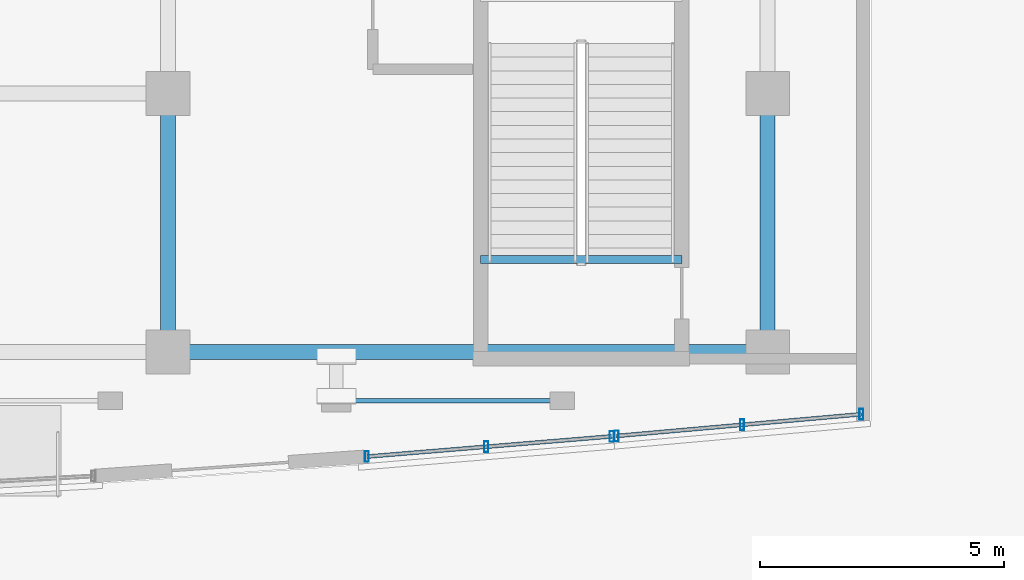
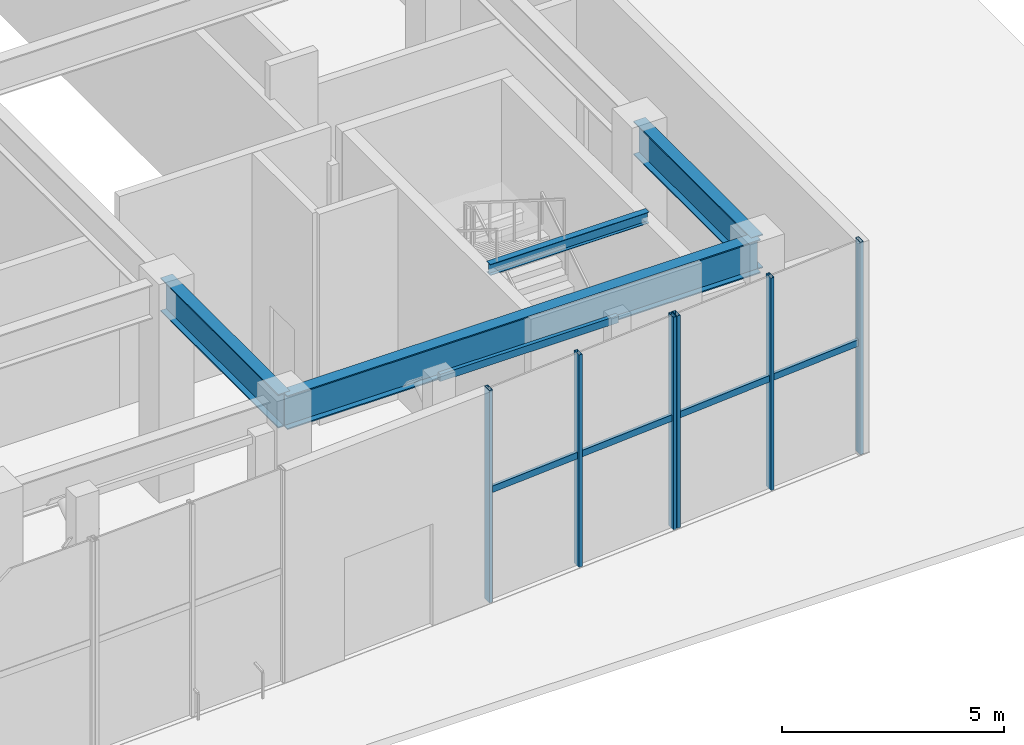
# One storey, part 9 of 23: 9 members, 4 beams, 2 elements without a shape of their own.
"""IFC4 building model written with IfcOpenShell, lengths in metres."""

from ifc_helpers import new_model, si_unit, direction, frame, origin, origin_2d, place, context, subcontext, project, spatial, hollow_rectangle, i_section, extrude, material, layer, layer_set, material_profile, profile_set, type_object, element, aggregate, save


model = new_model("IFC4")

# Units and contexts
model_context = context("Model", 3, precision=1e-05, world=origin(), true_north=direction((0.0, 1.0)))
body_context = subcontext(model_context, "Body", "Model", "MODEL_VIEW")
ifc_project = project(units=[si_unit("LENGTHUNIT", "METRE"), si_unit("AREAUNIT", "SQUARE_METRE"), si_unit("VOLUMEUNIT", "CUBIC_METRE"), si_unit("PLANEANGLEUNIT", "RADIAN"), si_unit("MASSUNIT", "GRAM", prefix="KILO")], contexts=[model_context])

# Site, building, storey
site_placement = place(None, origin())
site = spatial("IfcSite", under=ifc_project, at=site_placement, CompositionType="ELEMENT")
building_placement = place(site_placement, origin())
building = spatial("IfcBuilding", under=site, at=building_placement, Name="Vantalir Tower", CompositionType="ELEMENT")
storey_placement = place(building_placement, origin())
storey = spatial("IfcBuildingStorey", under=building, at=storey_placement, Name="L00", CompositionType="ELEMENT", Elevation=0.0)

# Beams
ifc_material_1 = material(Name="Steel S355", Category="steel")
ifc_material_profile_1 = material_profile(ifc_material_1, i_section(OverallWidth=0.166015625, OverallDepth=0.306884765625, WebThickness=0.006591796875, FlangeThickness=0.01171875, at=origin_2d()), Name="Steel S355")
ifc_profile_set_1 = profile_set([ifc_material_profile_1], Name="Steel S355")
beam_type_1 = type_object("IfcBeamType", Name="BM-JS-305x165", PredefinedType="JOIST", material=ifc_profile_set_1)
beam_1_placement = place(storey_placement, frame((55.010009765625, 5.094970703125, 5.845947265625), z_axis=(1.0, 0.0, 0.0), x_axis=(0.0, 1.0, 0.0)))
element("IfcBeam", 1, at=beam_1_placement, inside=storey, type_object=beam_type_1, Name="Level 01 Stair PST4 Well Nosing Trimmer Beam", PredefinedType="JOIST", context=body_context, shape_type="SweptSolid", body=[
    extrude(i_section(OverallWidth=0.166015625, OverallDepth=0.306884765625, WebThickness=0.006591796875, FlangeThickness=0.01171875, at=origin_2d()), origin(), (0.0, 0.0, 1.0), 4.1298828125),
])
ifc_material_profile_2 = material_profile(ifc_material_1, i_section(OverallWidth=0.30810546875, OverallDepth=0.927001953125, WebThickness=0.01953125, FlangeThickness=0.031982421875, at=origin_2d()), Name="Steel S355")
ifc_profile_set_2 = profile_set([ifc_material_profile_2], Name="Steel S355")
beam_type_2 = type_object("IfcBeamType", Name="BM-PG-914x305", PredefinedType="USERDEFINED", material=ifc_profile_set_2)
beam_2_placement = place(storey_placement, frame((48.60009765625, 3.199951171875, 5.35693359375), z_axis=(1.0, 0.0, 0.0), x_axis=(0.0, 1.0, 0.0)))
element("IfcBeam", 2, at=beam_2_placement, inside=storey, type_object=beam_type_2, Name="L00 Podium E-W Girder 06", ObjectType="GIRDER", PredefinedType="USERDEFINED", context=body_context, shape_type="SweptSolid", body=[
    extrude(i_section(OverallWidth=0.30810546875, OverallDepth=0.927001953125, WebThickness=0.01953125, FlangeThickness=0.031982421875, at=origin_2d()), origin(), (0.0, 0.0, 1.0), 12.2998046875),
])
for number, where, z_axis, x_axis, name in (
    (3, (48.60009765625, 3.199951171875, 5.35693359375), (0.0, 1.0, 0.0), (-1.0, 0.0, 0.0), "L00 Podium N-S Girder 74"),
    (4, (60.89990234375, 3.199951171875, 5.35693359375), (0.0, 1.0, 0.0), (-1.0, 0.0, 0.0), "L00 Podium N-S Girder 80"),
):
    element("IfcBeam", number, at=place(storey_placement, frame(where, z_axis=z_axis, x_axis=x_axis)), inside=storey, type_object=beam_type_2, Name=name, ObjectType="GIRDER", PredefinedType="USERDEFINED", context=body_context, shape_type="SweptSolid", body=[
        extrude(i_section(OverallWidth=0.30810546875, OverallDepth=0.927001953125, WebThickness=0.01953125, FlangeThickness=0.031982421875, at=origin_2d()), origin(), (0.0, 0.0, 1.0), 5.300048828125),
    ])

# Curtain wall, members
ifc_material_2 = material(Name="Champagne-silver PVDF aluminium and double-silver Low-E glass", Category="aluminium")
ifc_layer = layer(ifc_material_2, 0.239990234375)
ifc_layer_set = layer_set([ifc_layer], Name="Champagne-silver PVDF aluminium and double-silver Low-E glass")
curtain_wall_type = type_object("IfcCurtainWallType", Name="CW-PODIUM-WF", PredefinedType="USERDEFINED", material=ifc_layer_set)
curtain_wall_1_placement = place(storey_placement, origin())
curtain_wall_1 = element("IfcCurtainWall", 5, at=curtain_wall_1_placement, inside=storey, type_object=curtain_wall_type, Name="L00 Waterfront Stick Curtain Wall 11", ObjectType="STICK CURTAIN WALL", PredefinedType="USERDEFINED")
ifc_material_3 = material(Name="Champagne-silver PVDF aluminium 6063-T6", Category="aluminium")
ifc_material_profile_3 = material_profile(ifc_material_3, hollow_rectangle(XDim=0.0849609375, YDim=0.219970703125, WallThickness=0.0048828125, at=origin_2d()), Name="Champagne-silver PVDF aluminium 6063-T6")
ifc_profile_set_3 = profile_set([ifc_material_profile_3], Name="Champagne-silver PVDF aluminium 6063-T6")
member_type_1 = type_object("IfcMemberType", Name="CWM-220x85", PredefinedType="MULLION", material=ifc_profile_set_3)
member_1_placement = place(storey_placement, frame((52.678955078125, 1.054931640625, -0.011962890625), z_axis=(0.0, 0.0, 1.0), x_axis=(1.0, 0.0, 0.0)))
member_1 = element("IfcMember", 6, at=member_1_placement, type_object=member_type_1, Name="CW-L00-WF-11 Mullion 1", PredefinedType="MULLION", context=body_context, shape_type="SweptSolid", body=[
    extrude(hollow_rectangle(XDim=0.0849609375, YDim=0.219970703125, WallThickness=0.0048828125, at=origin_2d()), origin(), (0.0, 0.0, 1.0), 5.843994140625),
])
member_2_placement = place(storey_placement, frame((55.125, 1.257080078125, -0.011962890625), z_axis=(0.0, 0.0, 1.0), x_axis=(1.0, 0.0, 0.0)))
member_2 = element("IfcMember", 7, at=member_2_placement, type_object=member_type_1, Name="CW-L00-WF-11 Mullion 2", PredefinedType="MULLION", context=body_context, shape_type="SweptSolid", body=[
    extrude(hollow_rectangle(XDim=0.0849609375, YDim=0.219970703125, WallThickness=0.0048828125, at=origin_2d()), origin(), (0.0, 0.0, 1.0), 5.843994140625),
])
member_3_placement = place(storey_placement, frame((57.699951171875, 1.469970703125, -0.011962890625), z_axis=(0.0, 0.0, 1.0), x_axis=(1.0, 0.0, 0.0)))
member_3 = element("IfcMember", 8, at=member_3_placement, type_object=member_type_1, Name="CW-L00-WF-11 Mullion 3", PredefinedType="MULLION", context=body_context, shape_type="SweptSolid", body=[
    extrude(hollow_rectangle(XDim=0.0849609375, YDim=0.219970703125, WallThickness=0.0048828125, at=origin_2d()), origin(), (0.0, 0.0, 1.0), 5.843994140625),
])

curtain_wall_2_placement = place(storey_placement, origin())
curtain_wall_2 = element("IfcCurtainWall", 9, at=curtain_wall_2_placement, inside=storey, type_object=curtain_wall_type, Name="L00 Waterfront Stick Curtain Wall 12", ObjectType="STICK CURTAIN WALL", PredefinedType="USERDEFINED")
member_4_placement = place(storey_placement, frame((57.800048828125, 1.47802734375, -0.011962890625), z_axis=(0.0, 0.0, 1.0), x_axis=(1.0, 0.0, 0.0)))
member_4 = element("IfcMember", 10, at=member_4_placement, type_object=member_type_1, Name="CW-L00-WF-12 Mullion 1", PredefinedType="MULLION", context=body_context, shape_type="SweptSolid", body=[
    extrude(hollow_rectangle(XDim=0.0849609375, YDim=0.219970703125, WallThickness=0.0048828125, at=origin_2d()), origin(), (0.0, 0.0, 1.0), 5.843994140625),
])
member_5_placement = place(storey_placement, frame((60.375, 1.70703125, -0.011962890625), z_axis=(0.0, 0.0, 1.0), x_axis=(1.0, 0.0, 0.0)))
member_5 = element("IfcMember", 11, at=member_5_placement, type_object=member_type_1, Name="CW-L00-WF-12 Mullion 2", PredefinedType="MULLION", context=body_context, shape_type="SweptSolid", body=[
    extrude(hollow_rectangle(XDim=0.0849609375, YDim=0.219970703125, WallThickness=0.0048828125, at=origin_2d()), origin(), (0.0, 0.0, 1.0), 5.843994140625),
])
member_6_placement = place(storey_placement, frame((62.821044921875, 1.924072265625, -0.011962890625), z_axis=(0.0, 0.0, 1.0), x_axis=(1.0, 0.0, 0.0)))
member_6 = element("IfcMember", 12, at=member_6_placement, type_object=member_type_1, Name="CW-L00-WF-12 Mullion 3", PredefinedType="MULLION", context=body_context, shape_type="SweptSolid", body=[
    extrude(hollow_rectangle(XDim=0.0849609375, YDim=0.219970703125, WallThickness=0.0048828125, at=origin_2d()), origin(), (0.0, 0.0, 1.0), 5.843994140625),
])

# Member
ifc_material_profile_4 = material_profile(ifc_material_3, hollow_rectangle(XDim=0.080078125, YDim=0.179931640625, WallThickness=0.0048828125, at=origin_2d()), Name="Champagne-silver PVDF aluminium 6063-T6")
ifc_profile_set_4 = profile_set([ifc_material_profile_4], Name="Champagne-silver PVDF aluminium 6063-T6")
member_type_2 = type_object("IfcMemberType", Name="CWT-180x80", PredefinedType="USERDEFINED", material=ifc_profile_set_4)
member_7_placement = place(storey_placement, frame((52.678955078125, 1.054931640625, 3.02587890625), z_axis=(0.996601012706, 0.082379739454, 0.0), x_axis=(-0.082379739454, 0.996601012706, 0.0)))
member_7 = element("IfcMember", 13, at=member_7_placement, type_object=member_type_2, Name="CW-L00-WF-11 Transom 1", ObjectType="TRANSOM", PredefinedType="USERDEFINED", context=body_context, shape_type="SweptSolid", body=[
    extrude(hollow_rectangle(XDim=0.080078125, YDim=0.179931640625, WallThickness=0.0048828125, at=origin_2d()), origin(), (0.0, 0.0, 1.0), 5.0380859375),
])

aggregate(curtain_wall_1, [member_1, member_2, member_3, member_7])

member_8_placement = place(storey_placement, frame((57.800048828125, 1.47802734375, 3.02587890625), z_axis=(0.996077290425, 0.088487465215, 0.0), x_axis=(-0.088487465215, 0.996077290425, 0.0)))
member_8 = element("IfcMember", 14, at=member_8_placement, type_object=member_type_2, Name="CW-L00-WF-12 Transom 1", ObjectType="TRANSOM", PredefinedType="USERDEFINED", context=body_context, shape_type="SweptSolid", body=[
    extrude(hollow_rectangle(XDim=0.080078125, YDim=0.179931640625, WallThickness=0.0048828125, at=origin_2d()), origin(), (0.0, 0.0, 1.0), 5.040771484375),
])

aggregate(curtain_wall_2, [member_4, member_5, member_6, member_8])

ifc_material_profile_5 = material_profile(ifc_material_1, hollow_rectangle(XDim=0.10009765625, YDim=0.199951171875, WallThickness=0.008056640625, at=origin_2d()), Name="Steel S355")
ifc_profile_set_5 = profile_set([ifc_material_profile_5], Name="Steel S355")
member_type_3 = type_object("IfcMemberType", Name="MEM-PR-200x100", PredefinedType="PURLIN", material=ifc_profile_set_5)
member_9_placement = place(storey_placement, frame((52.050048828125, 2.199951171875, 5.64990234375), z_axis=(1.0, 0.0, 0.0), x_axis=(0.0, 1.0, 0.0)))
element("IfcMember", 15, at=member_9_placement, inside=storey, type_object=member_type_3, Name="L00 Waterfront Canopy Colonnade Tie 06", PredefinedType="PURLIN", context=body_context, shape_type="SweptSolid", body=[
    extrude(hollow_rectangle(XDim=0.10009765625, YDim=0.199951171875, WallThickness=0.008056640625, at=origin_2d()), origin(), (0.0, 0.0, 1.0), 4.633056640625),
])

save(model, "model.ifc")
